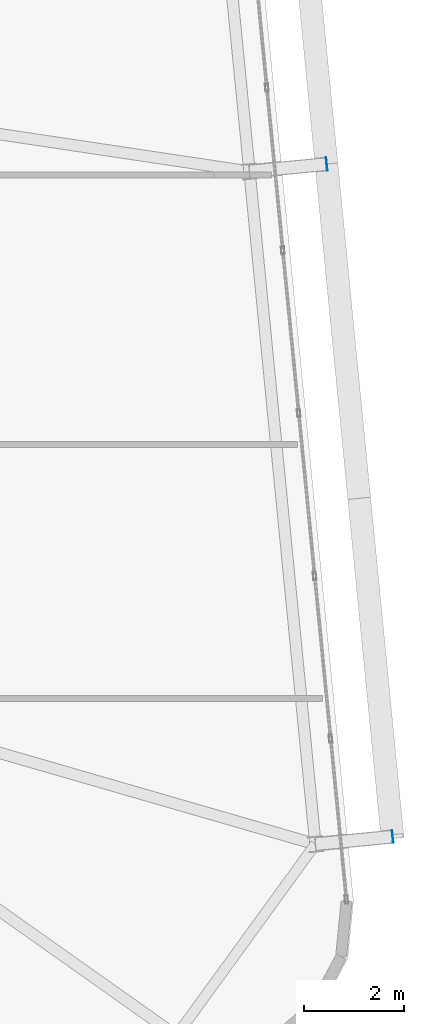
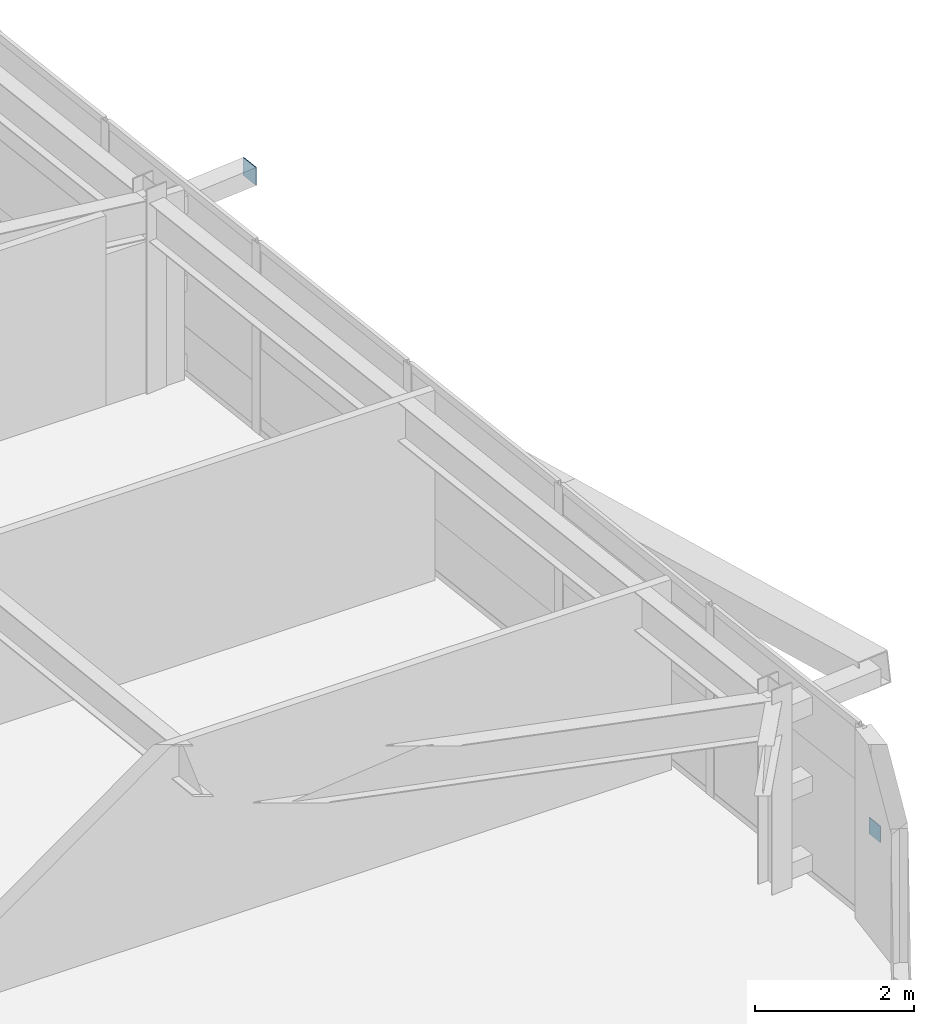
# One storey, part 42 of 53: 2 plates.
"""IFC4 building model written with IfcOpenShell, lengths in metres."""

from ifc_helpers import new_model, si_unit, direction, frame, origin, origin_2d, place, context, subcontext, project, spatial, rectangle, extrude, source, transform, mapped, material, layer, layer_set, type_object, element, save


model = new_model("IFC4")

# Units and contexts
model_context = context("Model", 3, precision=1e-05, world=origin(), true_north=direction((0.0, 1.0)))
body_context = subcontext(model_context, "Body", "Model", "MODEL_VIEW")
ifc_project = project(units=[si_unit("LENGTHUNIT", "METRE"), si_unit("AREAUNIT", "SQUARE_METRE"), si_unit("VOLUMEUNIT", "CUBIC_METRE"), si_unit("PLANEANGLEUNIT", "RADIAN"), si_unit("MASSUNIT", "GRAM", prefix="KILO")], contexts=[model_context])

# Site, building, storey
site_placement = place(None, origin())
site = spatial("IfcSite", under=ifc_project, at=site_placement, CompositionType="ELEMENT")
building_placement = place(site_placement, origin())
building = spatial("IfcBuilding", under=site, at=building_placement, Name="Taldren Reach Tower", CompositionType="ELEMENT")
storey_placement = place(building_placement, frame((0.0, 0.0, 71.39990234375)))
storey = spatial("IfcBuildingStorey", under=building, at=storey_placement, Name="L21", CompositionType="ELEMENT", Elevation=71.39990234375)

# Plates
ifc_material_1 = material(Name="Steel Gr 450 (C450L0)", Category="steel")
ifc_layer_1 = layer(ifc_material_1, 0.011962890625)
ifc_layer_set_1 = layer_set([ifc_layer_1], Name="Steel Gr 450 (C450L0)")
plate_type_1 = type_object("IfcPlateType", Name="PL-CAP-275", PredefinedType="SHEET", material=ifc_layer_set_1)
shared_shape_1 = source(origin(), body_context, "Body", "SweptSolid", [
    extrude(rectangle(XDim=0.011962890625, YDim=0.27490234375, at=origin_2d()), origin(), (0.0, 0.0, 1.0), 0.27490234375),
])
plate_1_placement = place(storey_placement, frame((66.1181640625, 22.120849609375, 2.5126953125), z_axis=(0.0, 0.0, 1.0), x_axis=(0.995227399982, 0.097582899759, 0.0)))
element("IfcPlate", 1, at=plate_1_placement, inside=storey, type_object=plate_type_1, Name="Tie strut end cap plate B2-E2 L21", PredefinedType="SHEET", context=body_context, shape_type="MappedRepresentation", body=[
    mapped(shared_shape_1, transform((0.0, 0.0, 0.0), scale=1.0)),
])
ifc_material_2 = material(Name="Steel Gr 350 (C350L0)", Category="steel")
ifc_layer_2 = layer(ifc_material_2, 0.011962890625)
ifc_layer_set_2 = layer_set([ifc_layer_2], Name="Steel Gr 350 (C350L0)")
plate_type_2 = type_object("IfcPlateType", Name="PL-CAP-250", PredefinedType="SHEET", material=ifc_layer_set_2)
shared_shape_2 = source(origin(), body_context, "Body", "SweptSolid", [
    extrude(rectangle(XDim=0.011962890625, YDim=0.25, at=origin_2d()), origin(), (0.0, 0.0, 1.0), 0.25),
])
plate_2_placement = place(storey_placement, frame((67.440185546875, 8.635498046875, 0.09521484375), z_axis=(0.0, 0.0, 1.0), x_axis=(0.995227399982, 0.097582899759, 0.0)))
element("IfcPlate", 2, at=plate_2_placement, inside=storey, type_object=plate_type_2, Name="Tie strut end cap plate B2-E1 L21", PredefinedType="SHEET", context=body_context, shape_type="MappedRepresentation", body=[
    mapped(shared_shape_2, transform((0.0, 0.0, 0.0), scale=1.0)),
])

save(model, "model.ifc")
